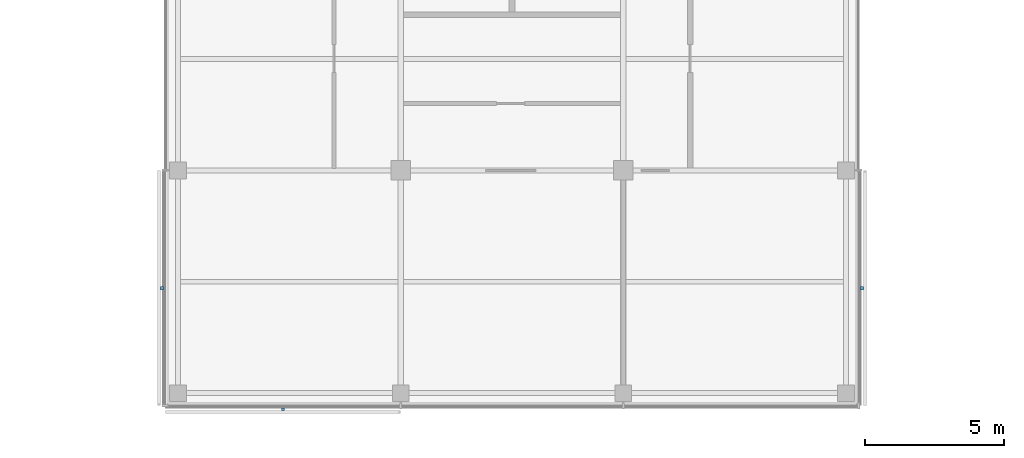
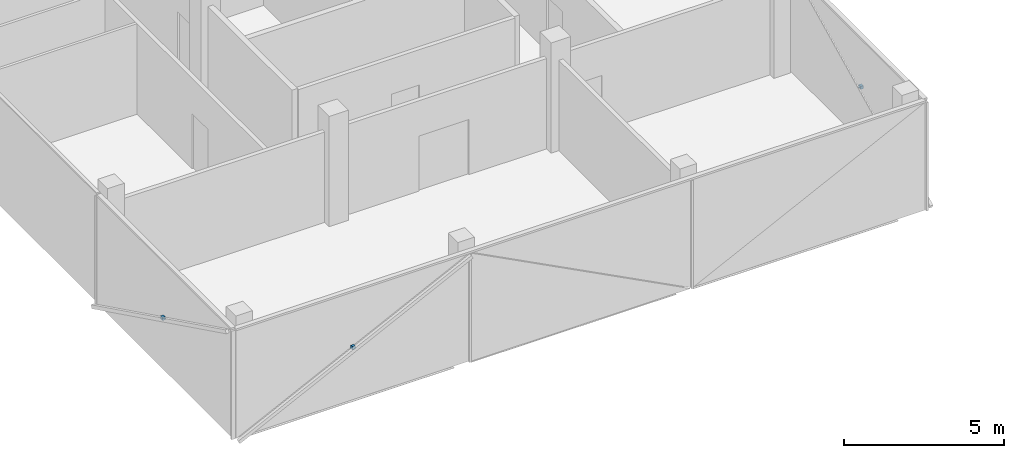
# One storey, part 14 of 16: 3 discrete accessories.
"""IFC4 building model written with IfcOpenShell, lengths in metres."""

from ifc_helpers import new_model, si_unit, direction, frame, origin, origin_2d, place, context, subcontext, project, spatial, rectangle, extrude, material, type_object, element, save


model = new_model("IFC4")

# Units and contexts
model_context = context("Model", 3, precision=1e-05, world=origin(), true_north=direction((0.0, 1.0)))
body_context = subcontext(model_context, "Body", "Model", "MODEL_VIEW")
ifc_project = project(units=[si_unit("LENGTHUNIT", "METRE"), si_unit("AREAUNIT", "SQUARE_METRE"), si_unit("VOLUMEUNIT", "CUBIC_METRE"), si_unit("PLANEANGLEUNIT", "RADIAN"), si_unit("MASSUNIT", "GRAM", prefix="KILO")], contexts=[model_context])

# Site, building, storey
site_placement = place(None, origin())
site = spatial("IfcSite", under=ifc_project, at=site_placement, CompositionType="ELEMENT")
building_placement = place(site_placement, origin())
building = spatial("IfcBuilding", under=site, at=building_placement, Name="Crosswind Convention Tower", CompositionType="ELEMENT")
storey_placement = place(building_placement, frame((0.0, 0.0, 282.89990234375)))
storey = spatial("IfcBuildingStorey", under=building, at=storey_placement, Name="L61", CompositionType="ELEMENT", Elevation=282.89990234375)

# Discrete accessories
ifc_material = material(Name="Stainless steel", Category="steel")
discrete_accessory_type = type_object("IfcDiscreteAccessoryType", Name="BAGUETTE BRACKET BK3", PredefinedType="BRACKET", material=ifc_material)
for number, where, z_axis, x_axis, name in (
    (1, (112.424072265625, 75.77001953125, 1.705078125), (0.0, 0.0, 1.0), (0.0, -1.0, 0.0), "BK3 baguette bracket"),
    (2, (116.77001953125, 71.424072265625, 1.705078125), (0.0, 0.0, 1.0), (1.0, 0.0, 0.0), "BK3 baguette bracket"),
    (3, (137.575927734375, 75.77001953125, 1.705078125), (0.0, 0.0, 1.0), (0.0, 1.0, 0.0), "BK3 baguette bracket"),
):
    element("IfcDiscreteAccessory", number, at=place(storey_placement, frame(where, z_axis=z_axis, x_axis=x_axis)), inside=storey, type_object=discrete_accessory_type, Name=name, PredefinedType="BRACKET", context=body_context, shape_type="SweptSolid", body=[
        extrude(rectangle(XDim=0.1201171875, YDim=0.10009765625, at=origin_2d()), origin(), (0.0, 0.0, 1.0), 0.1201171875),
    ])

save(model, "model.ifc")
